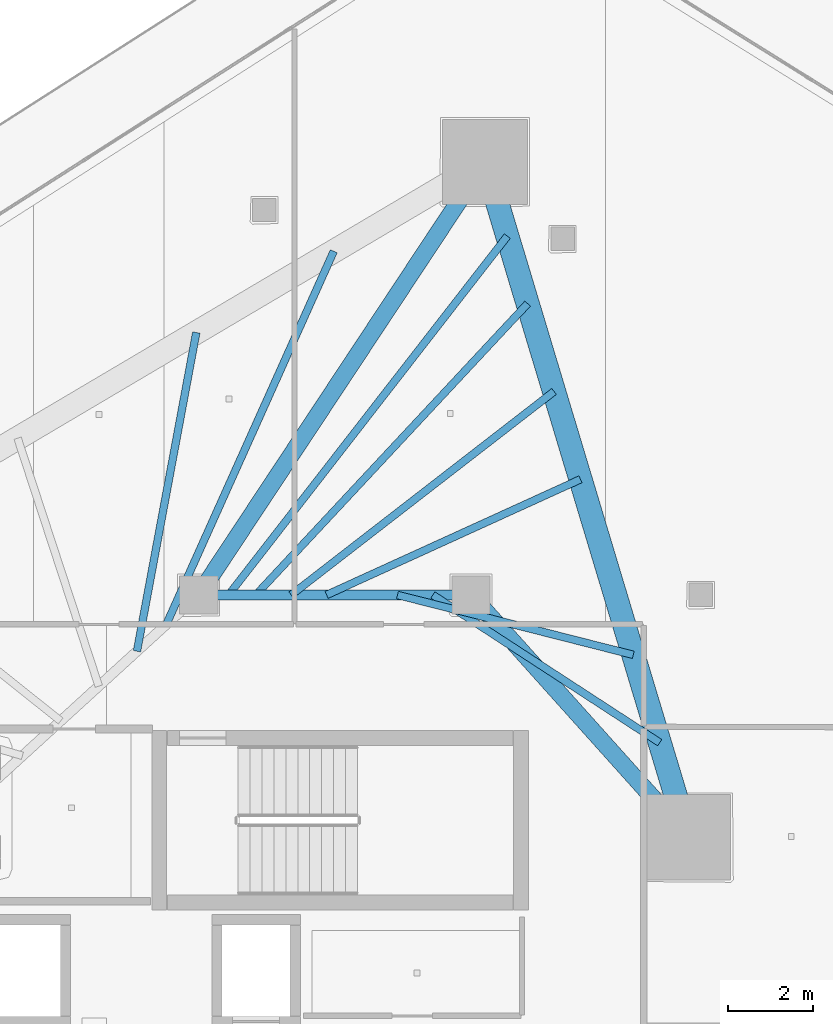
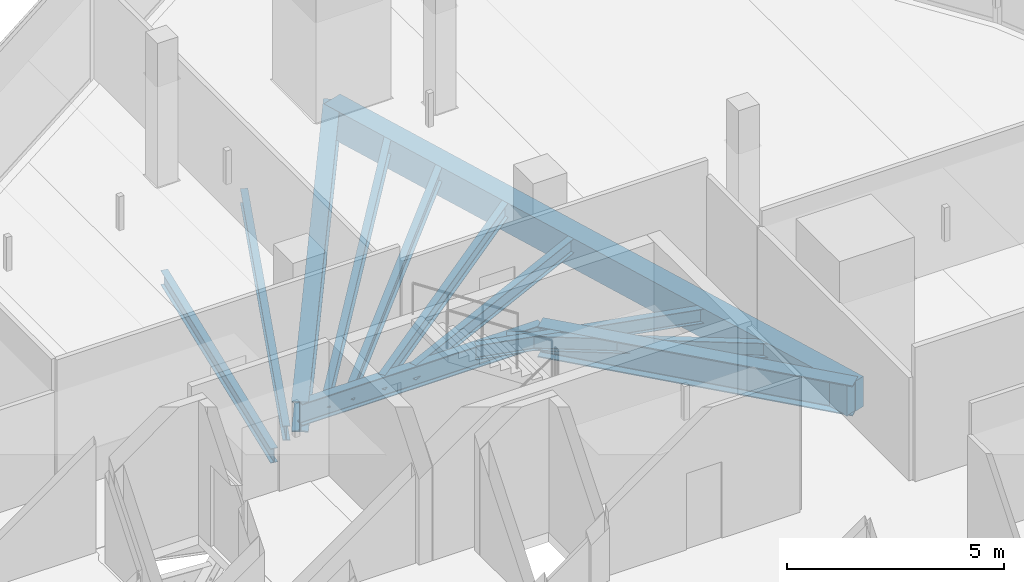
# One storey, part 19 of 37: 12 beams.
"""IFC4 building model written with IfcOpenShell, lengths in metres."""

from ifc_helpers import new_model, si_unit, direction, frame, origin, origin_2d, place, context, subcontext, project, spatial, rectangle, i_section, extrude, material, material_profile, profile_set, type_object, element, save


model = new_model("IFC4")

# Units and contexts
model_context = context("Model", 3, precision=1e-05, world=origin(), true_north=direction((0.0, 1.0)))
body_context = subcontext(model_context, "Body", "Model", "MODEL_VIEW")
ifc_project = project(units=[si_unit("LENGTHUNIT", "METRE"), si_unit("AREAUNIT", "SQUARE_METRE"), si_unit("VOLUMEUNIT", "CUBIC_METRE"), si_unit("PLANEANGLEUNIT", "RADIAN"), si_unit("MASSUNIT", "GRAM", prefix="KILO")], contexts=[model_context])

# Site, building, storey
site_placement = place(None, origin())
site = spatial("IfcSite", under=ifc_project, at=site_placement, CompositionType="ELEMENT")
building_placement = place(site_placement, origin())
building = spatial("IfcBuilding", under=site, at=building_placement, Name="Qorvath Tower", CompositionType="ELEMENT")
storey_placement = place(building_placement, frame((0.0, 0.0, 196.949951171875)))
storey = spatial("IfcBuildingStorey", under=building, at=storey_placement, Name="L45", CompositionType="ELEMENT", Elevation=196.949951171875)

# Beams
ifc_material_1 = material(Name="Steel ASTM A992 Grade 50", Category="steel")
ifc_material_profile_1 = material_profile(ifc_material_1, i_section(OverallWidth=0.39892578125, OverallDepth=0.85498046875, WebThickness=0.018310546875, FlangeThickness=0.029296875, FilletRadius=0.02001953125, at=origin_2d()), Name="W33x201")
ifc_profile_set_1 = profile_set([ifc_material_profile_1], Name="Steel ASTM A992 Grade 50")
beam_type_1 = type_object("IfcBeamType", Name="BM-FG2", PredefinedType="BEAM", material=ifc_profile_set_1)
beam_1_placement = place(storey_placement, frame((-23.60009765625, 11.449951171875, -0.697509765625), z_axis=(0.551500517741, 0.834174549439, 0.0), x_axis=(-0.834174549439, 0.551500517741, 0.0)))
element("IfcBeam", 1, at=beam_1_placement, inside=storey, type_object=beam_type_1, Name="Radial Floor Girder CC1-MC6 L45", PredefinedType="BEAM", context=body_context, shape_type="SweptSolid", body=[
    extrude(i_section(OverallWidth=0.39892578125, OverallDepth=0.85498046875, WebThickness=0.018310546875, FlangeThickness=0.029296875, FilletRadius=0.02001953125, at=origin_2d()), origin(), (0.0, 0.0, 1.0), 12.200439453125),
])
beam_2_placement = place(storey_placement, frame((-17.199951171875, 11.449951171875, -0.697509765625), z_axis=(0.667543184261, -0.744571082669, 0.0), x_axis=(0.744571082669, 0.667543184261, 0.0)))
element("IfcBeam", 2, at=beam_2_placement, inside=storey, type_object=beam_type_1, Name="Radial Floor Girder CC2-MC5 L45", PredefinedType="BEAM", context=body_context, shape_type="SweptSolid", body=[
    extrude(i_section(OverallWidth=0.39892578125, OverallDepth=0.85498046875, WebThickness=0.018310546875, FlangeThickness=0.029296875, FilletRadius=0.02001953125, at=origin_2d()), origin(), (0.0, 0.0, 1.0), 7.644775390625),
])
ifc_material_2 = material(Name="Steel ASTM A992 Grade 50", Category="steel")
ifc_material_profile_2 = material_profile(ifc_material_2, i_section(OverallWidth=0.22998046875, OverallDepth=0.616943359375, WebThickness=0.01318359375, FlangeThickness=0.022216796875, FilletRadius=0.014892578125, at=origin_2d()), Name="W24x94")
ifc_profile_set_2 = profile_set([ifc_material_profile_2], Name="Steel ASTM A992 Grade 50")
beam_type_2 = type_object("IfcBeamType", Name="BM-FG6", PredefinedType="BEAM", material=ifc_profile_set_2)
beam_3_placement = place(storey_placement, frame((-23.60009765625, 11.449951171875, -0.57861328125), z_axis=(1.0, 0.0, 0.0), x_axis=(0.0, 1.0, 0.0)))
element("IfcBeam", 3, at=beam_3_placement, inside=storey, type_object=beam_type_2, Name="Core Ring Girder CC1-CC2 L45", PredefinedType="BEAM", context=body_context, shape_type="SweptSolid", body=[
    extrude(i_section(OverallWidth=0.22998046875, OverallDepth=0.616943359375, WebThickness=0.01318359375, FlangeThickness=0.022216796875, FilletRadius=0.014892578125, at=origin_2d()), origin(), (0.0, 0.0, 1.0), 6.400146484375),
])
ifc_material_3 = material(Name="Steel ASTM A992 Grade 50", Category="steel")
ifc_material_profile_3 = material_profile(ifc_material_3, i_section(OverallWidth=0.177978515625, OverallDepth=0.406005859375, WebThickness=0.0078125, FlangeThickness=0.0126953125, FilletRadius=0.010986328125, at=origin_2d()), Name="W16x40")
ifc_profile_set_3 = profile_set([ifc_material_profile_3], Name="Steel ASTM A992 Grade 50")
beam_type_3 = type_object("IfcBeamType", Name="BM-FJ3", PredefinedType="JOIST", material=ifc_profile_set_3)
beam_4_placement = place(storey_placement, frame((-18.095947265625, 11.449951171875, -0.47314453125), z_axis=(0.838041756057, -0.545606098853, 0.0), x_axis=(0.545606098853, 0.838041756057, 0.0)))
element("IfcBeam", 4, at=beam_4_placement, inside=storey, type_object=beam_type_3, Name="Composite Floor Joist NE1 L45", PredefinedType="JOIST", context=body_context, shape_type="SweptSolid", body=[
    extrude(i_section(OverallWidth=0.177978515625, OverallDepth=0.406005859375, WebThickness=0.0078125, FlangeThickness=0.0126953125, FilletRadius=0.010986328125, at=origin_2d()), origin(), (0.0, 0.0, 1.0), 6.36083984375),
])
beam_5_placement = place(storey_placement, frame((-18.927978515625, 11.449951171875, -0.47314453125), z_axis=(0.969231577698, -0.246150662794, 0.0), x_axis=(0.246150662794, 0.969231577698, 0.0)))
element("IfcBeam", 5, at=beam_5_placement, inside=storey, type_object=beam_type_3, Name="Composite Floor Joist NE2 L45", PredefinedType="JOIST", context=body_context, shape_type="SweptSolid", body=[
    extrude(i_section(OverallWidth=0.177978515625, OverallDepth=0.406005859375, WebThickness=0.0078125, FlangeThickness=0.0126953125, FilletRadius=0.010986328125, at=origin_2d()), origin(), (0.0, 0.0, 1.0), 5.718017578125),
])
beam_6_placement = place(storey_placement, frame((-20.592041015625, 11.449951171875, -0.47314453125), z_axis=(0.909945081179, 0.414728765868, 0.0), x_axis=(-0.414728765868, 0.909945081179, 0.0)))
element("IfcBeam", 6, at=beam_6_placement, inside=storey, type_object=beam_type_3, Name="Composite Floor Joist NE4 L45", PredefinedType="JOIST", context=body_context, shape_type="SweptSolid", body=[
    extrude(i_section(OverallWidth=0.177978515625, OverallDepth=0.406005859375, WebThickness=0.0078125, FlangeThickness=0.0126953125, FilletRadius=0.010986328125, at=origin_2d()), origin(), (0.0, 0.0, 1.0), 6.554931640625),
])
beam_7_placement = place(storey_placement, frame((-21.424072265625, 11.449951171875, -0.47314453125), z_axis=(0.790693445503, 0.612212279555, 0.0), x_axis=(-0.612212279555, 0.790693445503, 0.0)))
element("IfcBeam", 7, at=beam_7_placement, inside=storey, type_object=beam_type_3, Name="Composite Floor Joist NE5 L45", PredefinedType="JOIST", context=body_context, shape_type="SweptSolid", body=[
    extrude(i_section(OverallWidth=0.177978515625, OverallDepth=0.406005859375, WebThickness=0.0078125, FlangeThickness=0.0126953125, FilletRadius=0.010986328125, at=origin_2d()), origin(), (0.0, 0.0, 1.0), 7.810546875),
])
beam_8_placement = place(storey_placement, frame((-22.256103515625, 11.449951171875, -0.47314453125), z_axis=(0.682249490937, 0.731119437654, 0.0), x_axis=(-0.731119437654, 0.682249490937, 0.0)))
element("IfcBeam", 8, at=beam_8_placement, inside=storey, type_object=beam_type_3, Name="Composite Floor Joist NE6 L45", PredefinedType="JOIST", context=body_context, shape_type="SweptSolid", body=[
    extrude(i_section(OverallWidth=0.177978515625, OverallDepth=0.406005859375, WebThickness=0.0078125, FlangeThickness=0.0126953125, FilletRadius=0.010986328125, at=origin_2d()), origin(), (0.0, 0.0, 1.0), 9.362060546875),
])
beam_9_placement = place(storey_placement, frame((-22.89599609375, 11.449951171875, -0.47314453125), z_axis=(0.61345131907, 0.789732536452, 0.0), x_axis=(-0.789732536452, 0.61345131907, 0.0)))
element("IfcBeam", 9, at=beam_9_placement, inside=storey, type_object=beam_type_3, Name="Composite Floor Joist NE7 L45", PredefinedType="JOIST", context=body_context, shape_type="SweptSolid", body=[
    extrude(i_section(OverallWidth=0.177978515625, OverallDepth=0.406005859375, WebThickness=0.0078125, FlangeThickness=0.0126953125, FilletRadius=0.010986328125, at=origin_2d()), origin(), (0.0, 0.0, 1.0), 10.676513671875),
])
beam_10_placement = place(storey_placement, frame((-25.049072265625, 10.126953125, -0.47314453125), z_axis=(0.183026775988, 0.983107928598, 0.0), x_axis=(-0.983107928598, 0.183026775988, 0.0)))
element("IfcBeam", 10, at=beam_10_placement, inside=storey, type_object=beam_type_3, Name="Composite Floor Joist NW6 L45", PredefinedType="JOIST", context=body_context, shape_type="SweptSolid", body=[
    extrude(i_section(OverallWidth=0.177978515625, OverallDepth=0.406005859375, WebThickness=0.0078125, FlangeThickness=0.0126953125, FilletRadius=0.010986328125, at=origin_2d()), origin(), (0.0, 0.0, 1.0), 7.617919921875),
])
beam_11_placement = place(storey_placement, frame((-24.35888671875, 10.757080078125, -0.47314453125), z_axis=(0.409327209141, 0.912387656568, 0.0), x_axis=(-0.912387656568, 0.409327209141, 0.0)))
element("IfcBeam", 11, at=beam_11_placement, inside=storey, type_object=beam_type_3, Name="Composite Floor Joist NW7 L45", PredefinedType="JOIST", context=body_context, shape_type="SweptSolid", body=[
    extrude(i_section(OverallWidth=0.177978515625, OverallDepth=0.406005859375, WebThickness=0.0078125, FlangeThickness=0.0126953125, FilletRadius=0.010986328125, at=origin_2d()), origin(), (0.0, 0.0, 1.0), 9.611083984375),
])
ifc_material_4 = material(Name="Concrete C50/60", Category="concrete")
ifc_material_profile_4 = material_profile(ifc_material_4, rectangle(XDim=0.550048828125, YDim=0.85009765625, at=origin_2d()), Name="RCB 850x550")
ifc_profile_set_4 = profile_set([ifc_material_profile_4], Name="Concrete C50/60")
beam_type_4 = type_object("IfcBeamType", Name="BM-RCB2", PredefinedType="SPANDREL", material=ifc_profile_set_4)
beam_12_placement = place(storey_placement, frame((-12.0966796875, 5.7578125, -0.695068359375), z_axis=(-0.28812763802, 0.957592013443, 0.0), x_axis=(-0.957592013443, -0.28812763802, 0.0)))
element("IfcBeam", 12, at=beam_12_placement, inside=storey, type_object=beam_type_4, Name="Perimeter Loggia Frame Beam MC5-MC6 L45", PredefinedType="SPANDREL", context=body_context, shape_type="SweptSolid", body=[
    extrude(rectangle(XDim=0.550048828125, YDim=0.85009765625, at=origin_2d()), origin(), (0.0, 0.0, 1.0), 16.572265625),
])

save(model, "model.ifc")
